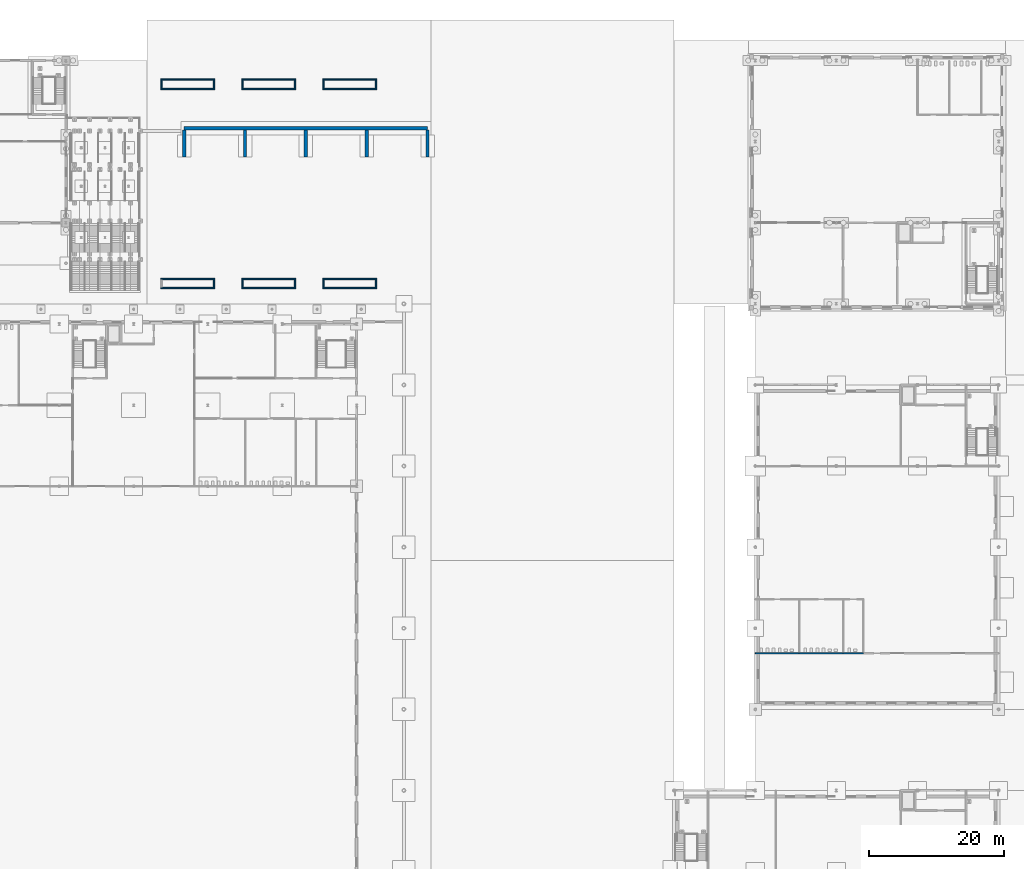
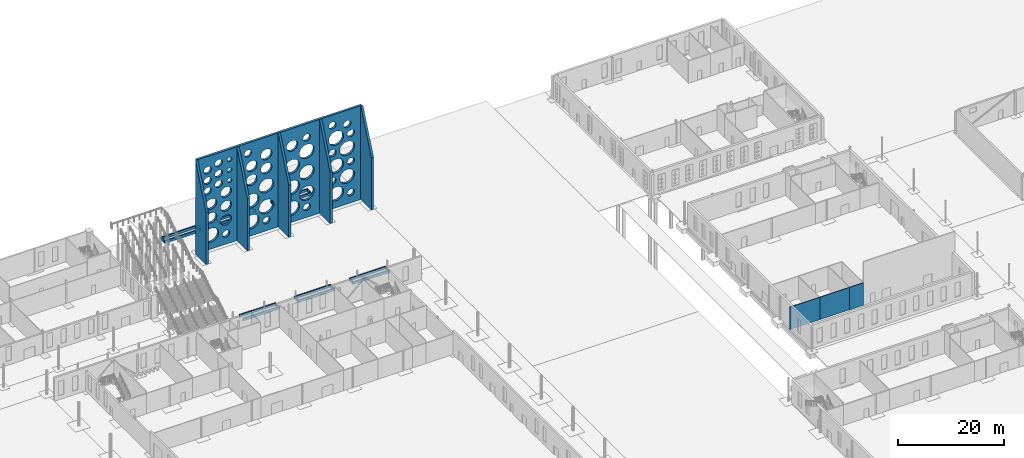
# One storey, part 76 of 132: 32 walls, 47 openings.
"""IFC4 building model written with IfcOpenShell, lengths in metres."""

from ifc_helpers import new_model, si_unit, direction, frame, frame_2d, origin, origin_2d, place, context, subcontext, project, spatial, polyline, rectangle, circle, outline, extrude, material, layer, layer_set, type_object, element, save


model = new_model("IFC4")

# Units and contexts
model_context = context("Model", 3, precision=1e-05, world=origin(), true_north=direction((0.0, 1.0)))
body_context = subcontext(model_context, "Body", "Model", "MODEL_VIEW")
ifc_project = project(units=[si_unit("LENGTHUNIT", "METRE"), si_unit("AREAUNIT", "SQUARE_METRE"), si_unit("VOLUMEUNIT", "CUBIC_METRE"), si_unit("PLANEANGLEUNIT", "RADIAN"), si_unit("MASSUNIT", "GRAM", prefix="KILO")], contexts=[model_context])

# Site, building, storey
site_placement = place(None, origin())
site = spatial("IfcSite", under=ifc_project, at=site_placement, CompositionType="ELEMENT")
building_placement = place(site_placement, origin())
building = spatial("IfcBuilding", under=site, at=building_placement, Name="Ravi Spectrum Wholesale Market", CompositionType="ELEMENT")
storey_placement = place(building_placement, origin())
storey = spatial("IfcBuildingStorey", under=building, at=storey_placement, Name="L00", CompositionType="ELEMENT", Elevation=0.0)

# Wall, openings
ifc_material_1 = material(Name="Concrete C35/45 with white lime render", Category="concrete")
ifc_layer_1 = layer(ifc_material_1, 0.5)
ifc_layer_set_1 = layer_set([ifc_layer_1], Name="Concrete C35/45 with white lime render")
wall_type_1 = type_object("IfcWallType", Name="Blade wall 500 reinforced concrete", PredefinedType="SOLIDWALL", material=ifc_layer_set_1)
wall_1_placement = place(storey_placement, frame((77.5, 224.0, 0.0), z_axis=(0.0, 0.0, 1.0), x_axis=(1.0, 0.0, 0.0)))
wall_1 = element("IfcWall", 1, at=wall_1_placement, inside=storey, type_object=wall_type_1, Name="Blade wall", PredefinedType="SOLIDWALL", context=body_context, shape_type="SweptSolid", body=[
    extrude(rectangle(XDim=36.0, YDim=0.5, at=frame_2d((18.0, 0.0))), origin(), (0.0, 0.0, 1.0), 21.60009765625),
])
opening_1_placement = place(wall_1_placement, frame((6.39990234375, 0.0, 2.39990234375)))
element("IfcOpeningElement", 2, at=opening_1_placement, cuts=wall_1, Name="Opening GW-OP-L00-001", PredefinedType="OPENING", context=body_context, shape_type="SweptSolid", body=[
    extrude(circle(Radius=0.800048828125, at=origin_2d()), frame((0.0, 0.260009765625, 0.0), z_axis=(0.0, -1.0, 0.0), x_axis=(1.0, 0.0, 0.0)), (0.0, 0.0, 1.0), 0.52001953125),
])
opening_2_placement = place(wall_1_placement, frame((15.199951171875, 0.0, 2.39990234375)))
element("IfcOpeningElement", 3, at=opening_2_placement, cuts=wall_1, Name="Opening GW-OP-L00-002", PredefinedType="OPENING", context=body_context, shape_type="SweptSolid", body=[
    extrude(circle(Radius=0.800048828125, at=origin_2d()), frame((0.0, 0.260009765625, 0.0), z_axis=(0.0, -1.0, 0.0), x_axis=(1.0, 0.0, 0.0)), (0.0, 0.0, 1.0), 0.52001953125),
])
opening_3_placement = place(wall_1_placement, frame((24.0, 0.0, 2.39990234375)))
element("IfcOpeningElement", 4, at=opening_3_placement, cuts=wall_1, Name="Opening GW-OP-L00-003", PredefinedType="OPENING", context=body_context, shape_type="SweptSolid", body=[
    extrude(circle(Radius=0.800048828125, at=origin_2d()), frame((0.0, 0.260009765625, 0.0), z_axis=(0.0, -1.0, 0.0), x_axis=(1.0, 0.0, 0.0)), (0.0, 0.0, 1.0), 0.52001953125),
])
opening_4_placement = place(wall_1_placement, frame((33.60009765625, 0.0, 2.39990234375)))
element("IfcOpeningElement", 5, at=opening_4_placement, cuts=wall_1, Name="Opening GW-OP-L00-004", PredefinedType="OPENING", context=body_context, shape_type="SweptSolid", body=[
    extrude(circle(Radius=0.800048828125, at=origin_2d()), frame((0.0, 0.260009765625, 0.0), z_axis=(0.0, -1.0, 0.0), x_axis=(1.0, 0.0, 0.0)), (0.0, 0.0, 1.0), 0.52001953125),
])
opening_5_placement = place(wall_1_placement, frame((3.199951171875, 0.0, 3.199951171875)))
element("IfcOpeningElement", 6, at=opening_5_placement, cuts=wall_1, Name="Opening GW-OP-L00-005", PredefinedType="OPENING", context=body_context, shape_type="SweptSolid", body=[
    extrude(circle(Radius=1.5999755859375, at=origin_2d()), frame((0.0, 0.260009765625, 0.0), z_axis=(0.0, -1.0, 0.0), x_axis=(1.0, 0.0, 0.0)), (0.0, 0.0, 1.0), 0.52001953125),
])
opening_6_placement = place(wall_1_placement, frame((12.0, 0.0, 3.199951171875)))
element("IfcOpeningElement", 7, at=opening_6_placement, cuts=wall_1, Name="Opening GW-OP-L00-006", PredefinedType="OPENING", context=body_context, shape_type="SweptSolid", body=[
    extrude(circle(Radius=1.5999755859375, at=origin_2d()), frame((0.0, 0.260009765625, 0.0), z_axis=(0.0, -1.0, 0.0), x_axis=(1.0, 0.0, 0.0)), (0.0, 0.0, 1.0), 0.52001953125),
])
opening_7_placement = place(wall_1_placement, frame((20.800048828125, 0.0, 3.199951171875)))
element("IfcOpeningElement", 8, at=opening_7_placement, cuts=wall_1, Name="Opening GW-OP-L00-007", PredefinedType="OPENING", context=body_context, shape_type="SweptSolid", body=[
    extrude(circle(Radius=1.5999755859375, at=origin_2d()), frame((0.0, 0.260009765625, 0.0), z_axis=(0.0, -1.0, 0.0), x_axis=(1.0, 0.0, 0.0)), (0.0, 0.0, 1.0), 0.52001953125),
])
opening_8_placement = place(wall_1_placement, frame((30.39990234375, 0.0, 3.199951171875)))
element("IfcOpeningElement", 9, at=opening_8_placement, cuts=wall_1, Name="Opening GW-OP-L00-008", PredefinedType="OPENING", context=body_context, shape_type="SweptSolid", body=[
    extrude(circle(Radius=1.5999755859375, at=origin_2d()), frame((0.0, 0.260009765625, 0.0), z_axis=(0.0, -1.0, 0.0), x_axis=(1.0, 0.0, 0.0)), (0.0, 0.0, 1.0), 0.52001953125),
])
opening_9_placement = place(wall_1_placement, frame((6.39990234375, 0.0, 5.60009765625)))
element("IfcOpeningElement", 10, at=opening_9_placement, cuts=wall_1, Name="Opening GW-OP-L00-009", PredefinedType="OPENING", context=body_context, shape_type="SweptSolid", body=[
    extrude(circle(Radius=1.199951171875, at=origin_2d()), frame((0.0, 0.260009765625, 0.0), z_axis=(0.0, -1.0, 0.0), x_axis=(1.0, 0.0, 0.0)), (0.0, 0.0, 1.0), 0.52001953125),
])
opening_10_placement = place(wall_1_placement, frame((15.199951171875, 0.0, 5.60009765625)))
element("IfcOpeningElement", 11, at=opening_10_placement, cuts=wall_1, Name="Opening GW-OP-L00-010", PredefinedType="OPENING", context=body_context, shape_type="SweptSolid", body=[
    extrude(circle(Radius=1.5999755859375, at=origin_2d()), frame((0.0, 0.260009765625, 0.0), z_axis=(0.0, -1.0, 0.0), x_axis=(1.0, 0.0, 0.0)), (0.0, 0.0, 1.0), 0.52001953125),
])
opening_11_placement = place(wall_1_placement, frame((24.0, 0.0, 5.60009765625)))
element("IfcOpeningElement", 12, at=opening_11_placement, cuts=wall_1, Name="Opening GW-OP-L00-011", PredefinedType="OPENING", context=body_context, shape_type="SweptSolid", body=[
    extrude(circle(Radius=1.5999755859375, at=origin_2d()), frame((0.0, 0.260009765625, 0.0), z_axis=(0.0, -1.0, 0.0), x_axis=(1.0, 0.0, 0.0)), (0.0, 0.0, 1.0), 0.52001953125),
])
opening_12_placement = place(wall_1_placement, frame((29.60009765625, 0.0, 6.39990234375)))
element("IfcOpeningElement", 13, at=opening_12_placement, cuts=wall_1, Name="Opening GW-OP-L00-012", PredefinedType="OPENING", context=body_context, shape_type="SweptSolid", body=[
    extrude(circle(Radius=0.800048828125, at=origin_2d()), frame((0.0, 0.260009765625, 0.0), z_axis=(0.0, -1.0, 0.0), x_axis=(1.0, 0.0, 0.0)), (0.0, 0.0, 1.0), 0.52001953125),
])
opening_13_placement = place(wall_1_placement, frame((32.800048828125, 0.0, 6.39990234375)))
element("IfcOpeningElement", 14, at=opening_13_placement, cuts=wall_1, Name="Opening GW-OP-L00-013", PredefinedType="OPENING", context=body_context, shape_type="SweptSolid", body=[
    extrude(circle(Radius=1.5999755859375, at=origin_2d()), frame((0.0, 0.260009765625, 0.0), z_axis=(0.0, -1.0, 0.0), x_axis=(1.0, 0.0, 0.0)), (0.0, 0.0, 1.0), 0.52001953125),
])
opening_14_placement = place(wall_1_placement, frame((3.199951171875, 0.0, 7.199951171875)))
element("IfcOpeningElement", 15, at=opening_14_placement, cuts=wall_1, Name="Opening GW-OP-L00-014", PredefinedType="OPENING", context=body_context, shape_type="SweptSolid", body=[
    extrude(circle(Radius=1.199951171875, at=origin_2d()), frame((0.0, 0.260009765625, 0.0), z_axis=(0.0, -1.0, 0.0), x_axis=(1.0, 0.0, 0.0)), (0.0, 0.0, 1.0), 0.52001953125),
])
opening_15_placement = place(wall_1_placement, frame((12.0, 0.0, 8.0)))
element("IfcOpeningElement", 16, at=opening_15_placement, cuts=wall_1, Name="Opening GW-OP-L00-015", PredefinedType="OPENING", context=body_context, shape_type="SweptSolid", body=[
    extrude(circle(Radius=1.5999755859375, at=origin_2d()), frame((0.0, 0.260009765625, 0.0), z_axis=(0.0, -1.0, 0.0), x_axis=(1.0, 0.0, 0.0)), (0.0, 0.0, 1.0), 0.52001953125),
])
opening_16_placement = place(wall_1_placement, frame((20.800048828125, 0.0, 8.0)))
element("IfcOpeningElement", 17, at=opening_16_placement, cuts=wall_1, Name="Opening GW-OP-L00-016", PredefinedType="OPENING", context=body_context, shape_type="SweptSolid", body=[
    extrude(circle(Radius=1.5999755859375, at=origin_2d()), frame((0.0, 0.260009765625, 0.0), z_axis=(0.0, -1.0, 0.0), x_axis=(1.0, 0.0, 0.0)), (0.0, 0.0, 1.0), 0.52001953125),
])
opening_17_placement = place(wall_1_placement, frame((6.39990234375, 0.0, 8.800048828125)))
element("IfcOpeningElement", 18, at=opening_17_placement, cuts=wall_1, Name="Opening GW-OP-L00-017", PredefinedType="OPENING", context=body_context, shape_type="SweptSolid", body=[
    extrude(circle(Radius=1.199951171875, at=origin_2d()), frame((0.0, 0.260009765625, 0.0), z_axis=(0.0, -1.0, 0.0), x_axis=(1.0, 0.0, 0.0)), (0.0, 0.0, 1.0), 0.52001953125),
])
opening_18_placement = place(wall_1_placement, frame((30.39990234375, 0.0, 9.60009765625)))
element("IfcOpeningElement", 19, at=opening_18_placement, cuts=wall_1, Name="Opening GW-OP-L00-018", PredefinedType="OPENING", context=body_context, shape_type="SweptSolid", body=[
    extrude(circle(Radius=1.5999755859375, at=origin_2d()), frame((0.0, 0.260009765625, 0.0), z_axis=(0.0, -1.0, 0.0), x_axis=(1.0, 0.0, 0.0)), (0.0, 0.0, 1.0), 0.52001953125),
])
opening_19_placement = place(wall_1_placement, frame((33.60009765625, 0.0, 9.60009765625)))
element("IfcOpeningElement", 20, at=opening_19_placement, cuts=wall_1, Name="Opening GW-OP-L00-019", PredefinedType="OPENING", context=body_context, shape_type="SweptSolid", body=[
    extrude(circle(Radius=0.800048828125, at=origin_2d()), frame((0.0, 0.260009765625, 0.0), z_axis=(0.0, -1.0, 0.0), x_axis=(1.0, 0.0, 0.0)), (0.0, 0.0, 1.0), 0.52001953125),
])
opening_20_placement = place(wall_1_placement, frame((3.199951171875, 0.0, 10.39990234375)))
element("IfcOpeningElement", 21, at=opening_20_placement, cuts=wall_1, Name="Opening GW-OP-L00-020", PredefinedType="OPENING", context=body_context, shape_type="SweptSolid", body=[
    extrude(circle(Radius=1.199951171875, at=origin_2d()), frame((0.0, 0.260009765625, 0.0), z_axis=(0.0, -1.0, 0.0), x_axis=(1.0, 0.0, 0.0)), (0.0, 0.0, 1.0), 0.52001953125),
])
opening_21_placement = place(wall_1_placement, frame((15.199951171875, 0.0, 10.39990234375)))
element("IfcOpeningElement", 22, at=opening_21_placement, cuts=wall_1, Name="Opening GW-OP-L00-021", PredefinedType="OPENING", context=body_context, shape_type="SweptSolid", body=[
    extrude(circle(Radius=1.5999755859375, at=origin_2d()), frame((0.0, 0.260009765625, 0.0), z_axis=(0.0, -1.0, 0.0), x_axis=(1.0, 0.0, 0.0)), (0.0, 0.0, 1.0), 0.52001953125),
])
opening_22_placement = place(wall_1_placement, frame((24.0, 0.0, 10.39990234375)))
element("IfcOpeningElement", 23, at=opening_22_placement, cuts=wall_1, Name="Opening GW-OP-L00-022", PredefinedType="OPENING", context=body_context, shape_type="SweptSolid", body=[
    extrude(circle(Radius=1.5999755859375, at=origin_2d()), frame((0.0, 0.260009765625, 0.0), z_axis=(0.0, -1.0, 0.0), x_axis=(1.0, 0.0, 0.0)), (0.0, 0.0, 1.0), 0.52001953125),
])
opening_23_placement = place(wall_1_placement, frame((6.39990234375, 0.0, 12.0)))
element("IfcOpeningElement", 24, at=opening_23_placement, cuts=wall_1, Name="Opening GW-OP-L00-023", PredefinedType="OPENING", context=body_context, shape_type="SweptSolid", body=[
    extrude(circle(Radius=1.199951171875, at=origin_2d()), frame((0.0, 0.260009765625, 0.0), z_axis=(0.0, -1.0, 0.0), x_axis=(1.0, 0.0, 0.0)), (0.0, 0.0, 1.0), 0.52001953125),
])
opening_24_placement = place(wall_1_placement, frame((12.0, 0.0, 12.800048828125)))
element("IfcOpeningElement", 25, at=opening_24_placement, cuts=wall_1, Name="Opening GW-OP-L00-024", PredefinedType="OPENING", context=body_context, shape_type="SweptSolid", body=[
    extrude(circle(Radius=1.199951171875, at=origin_2d()), frame((0.0, 0.260009765625, 0.0), z_axis=(0.0, -1.0, 0.0), x_axis=(1.0, 0.0, 0.0)), (0.0, 0.0, 1.0), 0.52001953125),
])
opening_25_placement = place(wall_1_placement, frame((20.800048828125, 0.0, 12.800048828125)))
element("IfcOpeningElement", 26, at=opening_25_placement, cuts=wall_1, Name="Opening GW-OP-L00-025", PredefinedType="OPENING", context=body_context, shape_type="SweptSolid", body=[
    extrude(circle(Radius=1.5999755859375, at=origin_2d()), frame((0.0, 0.260009765625, 0.0), z_axis=(0.0, -1.0, 0.0), x_axis=(1.0, 0.0, 0.0)), (0.0, 0.0, 1.0), 0.52001953125),
])
opening_26_placement = place(wall_1_placement, frame((29.60009765625, 0.0, 12.800048828125)))
element("IfcOpeningElement", 27, at=opening_26_placement, cuts=wall_1, Name="Opening GW-OP-L00-026", PredefinedType="OPENING", context=body_context, shape_type="SweptSolid", body=[
    extrude(circle(Radius=0.800048828125, at=origin_2d()), frame((0.0, 0.260009765625, 0.0), z_axis=(0.0, -1.0, 0.0), x_axis=(1.0, 0.0, 0.0)), (0.0, 0.0, 1.0), 0.52001953125),
])
opening_27_placement = place(wall_1_placement, frame((32.800048828125, 0.0, 12.800048828125)))
element("IfcOpeningElement", 28, at=opening_27_placement, cuts=wall_1, Name="Opening GW-OP-L00-027", PredefinedType="OPENING", context=body_context, shape_type="SweptSolid", body=[
    extrude(circle(Radius=1.5999755859375, at=origin_2d()), frame((0.0, 0.260009765625, 0.0), z_axis=(0.0, -1.0, 0.0), x_axis=(1.0, 0.0, 0.0)), (0.0, 0.0, 1.0), 0.52001953125),
])
opening_28_placement = place(wall_1_placement, frame((2.39990234375, 0.0, 13.60009765625)))
element("IfcOpeningElement", 29, at=opening_28_placement, cuts=wall_1, Name="Opening GW-OP-L00-028", PredefinedType="OPENING", context=body_context, shape_type="SweptSolid", body=[
    extrude(circle(Radius=0.800048828125, at=origin_2d()), frame((0.0, 0.260009765625, 0.0), z_axis=(0.0, -1.0, 0.0), x_axis=(1.0, 0.0, 0.0)), (0.0, 0.0, 1.0), 0.52001953125),
])
opening_29_placement = place(wall_1_placement, frame((4.800048828125, 0.0, 14.39990234375)))
element("IfcOpeningElement", 30, at=opening_29_placement, cuts=wall_1, Name="Opening GW-OP-L00-029", PredefinedType="OPENING", context=body_context, shape_type="SweptSolid", body=[
    extrude(circle(Radius=0.800048828125, at=origin_2d()), frame((0.0, 0.260009765625, 0.0), z_axis=(0.0, -1.0, 0.0), x_axis=(1.0, 0.0, 0.0)), (0.0, 0.0, 1.0), 0.52001953125),
])
opening_30_placement = place(wall_1_placement, frame((7.199951171875, 0.0, 14.39990234375)))
element("IfcOpeningElement", 31, at=opening_30_placement, cuts=wall_1, Name="Opening GW-OP-L00-030", PredefinedType="OPENING", context=body_context, shape_type="SweptSolid", body=[
    extrude(circle(Radius=0.5, at=origin_2d()), frame((0.0, 0.260009765625, 0.0), z_axis=(0.0, -1.0, 0.0), x_axis=(1.0, 0.0, 0.0)), (0.0, 0.0, 1.0), 0.52001953125),
])
opening_31_placement = place(wall_1_placement, frame((15.199951171875, 0.0, 14.39990234375)))
element("IfcOpeningElement", 32, at=opening_31_placement, cuts=wall_1, Name="Opening GW-OP-L00-031", PredefinedType="OPENING", context=body_context, shape_type="SweptSolid", body=[
    extrude(circle(Radius=1.199951171875, at=origin_2d()), frame((0.0, 0.260009765625, 0.0), z_axis=(0.0, -1.0, 0.0), x_axis=(1.0, 0.0, 0.0)), (0.0, 0.0, 1.0), 0.52001953125),
])
opening_32_placement = place(wall_1_placement, frame((24.0, 0.0, 15.199951171875)))
element("IfcOpeningElement", 33, at=opening_32_placement, cuts=wall_1, Name="Opening GW-OP-L00-032", PredefinedType="OPENING", context=body_context, shape_type="SweptSolid", body=[
    extrude(circle(Radius=1.5999755859375, at=origin_2d()), frame((0.0, 0.260009765625, 0.0), z_axis=(0.0, -1.0, 0.0), x_axis=(1.0, 0.0, 0.0)), (0.0, 0.0, 1.0), 0.52001953125),
])
opening_33_placement = place(wall_1_placement, frame((2.39990234375, 0.0, 16.0)))
element("IfcOpeningElement", 34, at=opening_33_placement, cuts=wall_1, Name="Opening GW-OP-L00-033", PredefinedType="OPENING", context=body_context, shape_type="SweptSolid", body=[
    extrude(circle(Radius=0.800048828125, at=origin_2d()), frame((0.0, 0.260009765625, 0.0), z_axis=(0.0, -1.0, 0.0), x_axis=(1.0, 0.0, 0.0)), (0.0, 0.0, 1.0), 0.52001953125),
])
opening_34_placement = place(wall_1_placement, frame((12.0, 0.0, 16.0)))
element("IfcOpeningElement", 35, at=opening_34_placement, cuts=wall_1, Name="Opening GW-OP-L00-034", PredefinedType="OPENING", context=body_context, shape_type="SweptSolid", body=[
    extrude(circle(Radius=1.199951171875, at=origin_2d()), frame((0.0, 0.260009765625, 0.0), z_axis=(0.0, -1.0, 0.0), x_axis=(1.0, 0.0, 0.0)), (0.0, 0.0, 1.0), 0.52001953125),
])
opening_35_placement = place(wall_1_placement, frame((30.39990234375, 0.0, 16.0)))
element("IfcOpeningElement", 36, at=opening_35_placement, cuts=wall_1, Name="Opening GW-OP-L00-035", PredefinedType="OPENING", context=body_context, shape_type="SweptSolid", body=[
    extrude(circle(Radius=1.5999755859375, at=origin_2d()), frame((0.0, 0.260009765625, 0.0), z_axis=(0.0, -1.0, 0.0), x_axis=(1.0, 0.0, 0.0)), (0.0, 0.0, 1.0), 0.52001953125),
])
opening_36_placement = place(wall_1_placement, frame((33.60009765625, 0.0, 16.0)))
element("IfcOpeningElement", 37, at=opening_36_placement, cuts=wall_1, Name="Opening GW-OP-L00-036", PredefinedType="OPENING", context=body_context, shape_type="SweptSolid", body=[
    extrude(circle(Radius=0.800048828125, at=origin_2d()), frame((0.0, 0.260009765625, 0.0), z_axis=(0.0, -1.0, 0.0), x_axis=(1.0, 0.0, 0.0)), (0.0, 0.0, 1.0), 0.52001953125),
])
opening_37_placement = place(wall_1_placement, frame((4.800048828125, 0.0, 16.800048828125)))
element("IfcOpeningElement", 38, at=opening_37_placement, cuts=wall_1, Name="Opening GW-OP-L00-037", PredefinedType="OPENING", context=body_context, shape_type="SweptSolid", body=[
    extrude(circle(Radius=0.800048828125, at=origin_2d()), frame((0.0, 0.260009765625, 0.0), z_axis=(0.0, -1.0, 0.0), x_axis=(1.0, 0.0, 0.0)), (0.0, 0.0, 1.0), 0.52001953125),
])
opening_38_placement = place(wall_1_placement, frame((7.199951171875, 0.0, 16.800048828125)))
element("IfcOpeningElement", 39, at=opening_38_placement, cuts=wall_1, Name="Opening GW-OP-L00-038", PredefinedType="OPENING", context=body_context, shape_type="SweptSolid", body=[
    extrude(circle(Radius=0.5, at=origin_2d()), frame((0.0, 0.260009765625, 0.0), z_axis=(0.0, -1.0, 0.0), x_axis=(1.0, 0.0, 0.0)), (0.0, 0.0, 1.0), 0.52001953125),
])
opening_39_placement = place(wall_1_placement, frame((15.199951171875, 0.0, 17.60009765625)))
element("IfcOpeningElement", 40, at=opening_39_placement, cuts=wall_1, Name="Opening GW-OP-L00-039", PredefinedType="OPENING", context=body_context, shape_type="SweptSolid", body=[
    extrude(circle(Radius=1.199951171875, at=origin_2d()), frame((0.0, 0.260009765625, 0.0), z_axis=(0.0, -1.0, 0.0), x_axis=(1.0, 0.0, 0.0)), (0.0, 0.0, 1.0), 0.52001953125),
])
opening_40_placement = place(wall_1_placement, frame((20.800048828125, 0.0, 17.60009765625)))
element("IfcOpeningElement", 41, at=opening_40_placement, cuts=wall_1, Name="Opening GW-OP-L00-040", PredefinedType="OPENING", context=body_context, shape_type="SweptSolid", body=[
    extrude(circle(Radius=1.199951171875, at=origin_2d()), frame((0.0, 0.260009765625, 0.0), z_axis=(0.0, -1.0, 0.0), x_axis=(1.0, 0.0, 0.0)), (0.0, 0.0, 1.0), 0.52001953125),
])
opening_41_placement = place(wall_1_placement, frame((2.39990234375, 0.0, 18.39990234375)))
element("IfcOpeningElement", 42, at=opening_41_placement, cuts=wall_1, Name="Opening GW-OP-L00-041", PredefinedType="OPENING", context=body_context, shape_type="SweptSolid", body=[
    extrude(circle(Radius=0.800048828125, at=origin_2d()), frame((0.0, 0.260009765625, 0.0), z_axis=(0.0, -1.0, 0.0), x_axis=(1.0, 0.0, 0.0)), (0.0, 0.0, 1.0), 0.52001953125),
])
opening_42_placement = place(wall_1_placement, frame((24.0, 0.0, 18.39990234375)))
element("IfcOpeningElement", 43, at=opening_42_placement, cuts=wall_1, Name="Opening GW-OP-L00-042", PredefinedType="OPENING", context=body_context, shape_type="SweptSolid", body=[
    extrude(circle(Radius=0.800048828125, at=origin_2d()), frame((0.0, 0.260009765625, 0.0), z_axis=(0.0, -1.0, 0.0), x_axis=(1.0, 0.0, 0.0)), (0.0, 0.0, 1.0), 0.52001953125),
])
opening_43_placement = place(wall_1_placement, frame((32.800048828125, 0.0, 18.39990234375)))
element("IfcOpeningElement", 44, at=opening_43_placement, cuts=wall_1, Name="Opening GW-OP-L00-043", PredefinedType="OPENING", context=body_context, shape_type="SweptSolid", body=[
    extrude(circle(Radius=0.800048828125, at=origin_2d()), frame((0.0, 0.260009765625, 0.0), z_axis=(0.0, -1.0, 0.0), x_axis=(1.0, 0.0, 0.0)), (0.0, 0.0, 1.0), 0.52001953125),
])
opening_44_placement = place(wall_1_placement, frame((4.800048828125, 0.0, 19.199951171875)))
element("IfcOpeningElement", 45, at=opening_44_placement, cuts=wall_1, Name="Opening GW-OP-L00-044", PredefinedType="OPENING", context=body_context, shape_type="SweptSolid", body=[
    extrude(circle(Radius=0.800048828125, at=origin_2d()), frame((0.0, 0.260009765625, 0.0), z_axis=(0.0, -1.0, 0.0), x_axis=(1.0, 0.0, 0.0)), (0.0, 0.0, 1.0), 0.52001953125),
])
opening_45_placement = place(wall_1_placement, frame((7.199951171875, 0.0, 19.199951171875)))
element("IfcOpeningElement", 46, at=opening_45_placement, cuts=wall_1, Name="Opening GW-OP-L00-045", PredefinedType="OPENING", context=body_context, shape_type="SweptSolid", body=[
    extrude(circle(Radius=0.5, at=origin_2d()), frame((0.0, 0.260009765625, 0.0), z_axis=(0.0, -1.0, 0.0), x_axis=(1.0, 0.0, 0.0)), (0.0, 0.0, 1.0), 0.52001953125),
])
opening_46_placement = place(wall_1_placement, frame((11.199951171875, 0.0, 19.199951171875)))
element("IfcOpeningElement", 47, at=opening_46_placement, cuts=wall_1, Name="Opening GW-OP-L00-046", PredefinedType="OPENING", context=body_context, shape_type="SweptSolid", body=[
    extrude(circle(Radius=0.800048828125, at=origin_2d()), frame((0.0, 0.260009765625, 0.0), z_axis=(0.0, -1.0, 0.0), x_axis=(1.0, 0.0, 0.0)), (0.0, 0.0, 1.0), 0.52001953125),
])
opening_47_placement = place(wall_1_placement, frame((29.60009765625, 0.0, 19.199951171875)))
element("IfcOpeningElement", 48, at=opening_47_placement, cuts=wall_1, Name="Opening GW-OP-L00-047", PredefinedType="OPENING", context=body_context, shape_type="SweptSolid", body=[
    extrude(circle(Radius=0.800048828125, at=origin_2d()), frame((0.0, 0.260009765625, 0.0), z_axis=(0.0, -1.0, 0.0), x_axis=(1.0, 0.0, 0.0)), (0.0, 0.0, 1.0), 0.52001953125),
])

# Walls
ifc_material_2 = material(Name="Concrete blockwork", Category="masonry")
ifc_layer_2 = layer(ifc_material_2, 0.14990234375)
ifc_layer_set_2 = layer_set([ifc_layer_2], Name="Concrete blockwork")
wall_type_2 = type_object("IfcWallType", Name="Blockwork partition 150", PredefinedType="PARTITIONING", material=ifc_layer_set_2)
for number, where, z_axis, x_axis, name in (
    (49, (162.0, 146.300048828125, 0.0), (0.0, 0.0, 1.0), (1.0, 0.0, 0.0), "H3-WL-L00-005"),
    (50, (168.5, 146.300048828125, 0.0), (0.0, 0.0, 1.0), (1.0, 0.0, 0.0), "H3-WL-L00-006"),
):
    element("IfcWall", number, at=place(storey_placement, frame(where, z_axis=z_axis, x_axis=x_axis)), inside=storey, type_object=wall_type_2, Name=name, PredefinedType="PARTITIONING", context=body_context, shape_type="SweptSolid", body=[
        extrude(rectangle(XDim=6.5, YDim=0.14990234375, at=frame_2d((3.25, 0.0))), origin(), (0.0, 0.0, 1.0), 5.14990234375),
    ])
wall_2_placement = place(storey_placement, frame((175.0, 146.300048828125, 0.0), z_axis=(0.0, 0.0, 1.0), x_axis=(1.0, 0.0, 0.0)))
element("IfcWall", 51, at=wall_2_placement, inside=storey, type_object=wall_type_2, Name="H3-WL-L00-007", PredefinedType="PARTITIONING", context=body_context, shape_type="SweptSolid", body=[
    extrude(rectangle(XDim=3.0, YDim=0.14990234375, at=frame_2d((1.5, 0.0))), origin(), (0.0, 0.0, 1.0), 5.14990234375),
])
ifc_material_3 = material(Name="Concrete C35/45", Category="concrete")
ifc_layer_3 = layer(ifc_material_3, 0.5)
ifc_layer_set_3 = layer_set([ifc_layer_3], Name="Concrete C35/45")
wall_type_3 = type_object("IfcWallType", Name="Buttress wall 500 concrete", PredefinedType="SHEAR", material=ifc_layer_set_3)
for number, where, z_axis, x_axis, name in (
    (52, (77.5, 223.75, 0.0), (0.0, 0.0, 1.0), (0.0, -1.0, 0.0), "Blade wall buttress"),
    (53, (86.5, 223.75, 0.0), (0.0, 0.0, 1.0), (0.0, -1.0, 0.0), "Blade wall buttress"),
    (54, (95.5, 223.75, 0.0), (0.0, 0.0, 1.0), (0.0, -1.0, 0.0), "Blade wall buttress"),
    (55, (104.5, 223.75, 0.0), (0.0, 0.0, 1.0), (0.0, -1.0, 0.0), "Blade wall buttress"),
    (56, (113.5, 223.75, 0.0), (0.0, 0.0, 1.0), (0.0, -1.0, 0.0), "Blade wall buttress"),
):
    element("IfcWall", number, at=place(storey_placement, frame(where, z_axis=z_axis, x_axis=x_axis)), inside=storey, type_object=wall_type_3, Name=name, PredefinedType="SHEAR", context=body_context, shape_type="SweptSolid", body=[
        extrude(outline(polyline([(0.0, 0.0), (4.0, 0.0), (4.0, 12.0), (0.0, 21.60009765625), (0.0, 0.0)])), frame((0.0, 0.25, 0.0), z_axis=(0.0, -1.0, 0.0), x_axis=(1.0, 0.0, 0.0)), (0.0, 0.0, 1.0), 0.5),
    ])
ifc_material_4 = material(Name="Facing brickwork", Category="masonry")
ifc_layer_4 = layer(ifc_material_4, 0.22998046875)
ifc_layer_set_4 = layer_set([ifc_layer_4], Name="Facing brickwork")
wall_type_4 = type_object("IfcWallType", Name="Planter wall 230 facing brick", PredefinedType="STANDARD", material=ifc_layer_set_4)
for number, where, z_axis, x_axis, name in (
    (57, (74.0, 200.31494140625, 0.0), (0.0, 0.0, 1.0), (1.0, 0.0, 0.0), "ST-WL-L00-069"),
    (58, (74.0, 201.68505859375, 0.0), (0.0, 0.0, 1.0), (1.0, 0.0, 0.0), "ST-WL-L00-070"),
):
    element("IfcWall", number, at=place(storey_placement, frame(where, z_axis=z_axis, x_axis=x_axis)), inside=storey, type_object=wall_type_4, Name=name, PredefinedType="STANDARD", context=body_context, shape_type="SweptSolid", body=[
        extrude(rectangle(XDim=8.0, YDim=0.22998046875, at=frame_2d((4.0, 0.0))), origin(), (0.0, 0.0, 1.0), 0.60009765625),
    ])
wall_3_placement = place(storey_placement, frame((81.885009765625, 200.429931640625, 0.0), z_axis=(0.0, 0.0, 1.0), x_axis=(0.0, 1.0, 0.0)))
element("IfcWall", 59, at=wall_3_placement, inside=storey, type_object=wall_type_4, Name="ST-WL-L00-072", PredefinedType="STANDARD", context=body_context, shape_type="SweptSolid", body=[
    extrude(rectangle(XDim=1.14013671875, YDim=0.22998046875, at=frame_2d((0.570068359375, 0.0))), origin(), (0.0, 0.0, 1.0), 0.60009765625),
])
for number, where, z_axis, x_axis, name in (
    (60, (86.0, 200.31494140625, 0.0), (0.0, 0.0, 1.0), (1.0, 0.0, 0.0), "ST-WL-L00-073"),
    (61, (86.0, 201.68505859375, 0.0), (0.0, 0.0, 1.0), (1.0, 0.0, 0.0), "ST-WL-L00-074"),
):
    element("IfcWall", number, at=place(storey_placement, frame(where, z_axis=z_axis, x_axis=x_axis)), inside=storey, type_object=wall_type_4, Name=name, PredefinedType="STANDARD", context=body_context, shape_type="SweptSolid", body=[
        extrude(rectangle(XDim=8.0, YDim=0.22998046875, at=frame_2d((4.0, 0.0))), origin(), (0.0, 0.0, 1.0), 0.60009765625),
    ])
for number, where, z_axis, x_axis, name in (
    (62, (86.114990234375, 200.429931640625, 0.0), (0.0, 0.0, 1.0), (0.0, 1.0, 0.0), "ST-WL-L00-075"),
    (63, (93.885009765625, 200.429931640625, 0.0), (0.0, 0.0, 1.0), (0.0, 1.0, 0.0), "ST-WL-L00-076"),
):
    element("IfcWall", number, at=place(storey_placement, frame(where, z_axis=z_axis, x_axis=x_axis)), inside=storey, type_object=wall_type_4, Name=name, PredefinedType="STANDARD", context=body_context, shape_type="SweptSolid", body=[
        extrude(rectangle(XDim=1.14013671875, YDim=0.22998046875, at=frame_2d((0.570068359375, 0.0))), origin(), (0.0, 0.0, 1.0), 0.60009765625),
    ])
for number, where, z_axis, x_axis, name in (
    (64, (98.0, 200.31494140625, 0.0), (0.0, 0.0, 1.0), (1.0, 0.0, 0.0), "ST-WL-L00-077"),
    (65, (98.0, 201.68505859375, 0.0), (0.0, 0.0, 1.0), (1.0, 0.0, 0.0), "ST-WL-L00-078"),
):
    element("IfcWall", number, at=place(storey_placement, frame(where, z_axis=z_axis, x_axis=x_axis)), inside=storey, type_object=wall_type_4, Name=name, PredefinedType="STANDARD", context=body_context, shape_type="SweptSolid", body=[
        extrude(rectangle(XDim=8.0, YDim=0.22998046875, at=frame_2d((4.0, 0.0))), origin(), (0.0, 0.0, 1.0), 0.60009765625),
    ])
for number, where, z_axis, x_axis, name in (
    (66, (98.114990234375, 200.429931640625, 0.0), (0.0, 0.0, 1.0), (0.0, 1.0, 0.0), "ST-WL-L00-079"),
    (67, (105.885009765625, 200.429931640625, 0.0), (0.0, 0.0, 1.0), (0.0, 1.0, 0.0), "ST-WL-L00-080"),
):
    element("IfcWall", number, at=place(storey_placement, frame(where, z_axis=z_axis, x_axis=x_axis)), inside=storey, type_object=wall_type_4, Name=name, PredefinedType="STANDARD", context=body_context, shape_type="SweptSolid", body=[
        extrude(rectangle(XDim=1.14013671875, YDim=0.22998046875, at=frame_2d((0.570068359375, 0.0))), origin(), (0.0, 0.0, 1.0), 0.60009765625),
    ])
for number, where, z_axis, x_axis, name in (
    (68, (74.0, 229.81494140625, 0.0), (0.0, 0.0, 1.0), (1.0, 0.0, 0.0), "ST-WL-L00-081"),
    (69, (74.0, 231.18505859375, 0.0), (0.0, 0.0, 1.0), (1.0, 0.0, 0.0), "ST-WL-L00-082"),
):
    element("IfcWall", number, at=place(storey_placement, frame(where, z_axis=z_axis, x_axis=x_axis)), inside=storey, type_object=wall_type_4, Name=name, PredefinedType="STANDARD", context=body_context, shape_type="SweptSolid", body=[
        extrude(rectangle(XDim=8.0, YDim=0.22998046875, at=frame_2d((4.0, 0.0))), origin(), (0.0, 0.0, 1.0), 0.60009765625),
    ])
for number, where, z_axis, x_axis, name in (
    (70, (74.114990234375, 229.929931640625, 0.0), (0.0, 0.0, 1.0), (0.0, 1.0, 0.0), "ST-WL-L00-083"),
    (71, (81.885009765625, 229.929931640625, 0.0), (0.0, 0.0, 1.0), (0.0, 1.0, 0.0), "ST-WL-L00-084"),
):
    element("IfcWall", number, at=place(storey_placement, frame(where, z_axis=z_axis, x_axis=x_axis)), inside=storey, type_object=wall_type_4, Name=name, PredefinedType="STANDARD", context=body_context, shape_type="SweptSolid", body=[
        extrude(rectangle(XDim=1.14013671875, YDim=0.22998046875, at=frame_2d((0.570068359375, 0.0))), origin(), (0.0, 0.0, 1.0), 0.60009765625),
    ])
for number, where, z_axis, x_axis, name in (
    (72, (86.0, 229.81494140625, 0.0), (0.0, 0.0, 1.0), (1.0, 0.0, 0.0), "ST-WL-L00-085"),
    (73, (86.0, 231.18505859375, 0.0), (0.0, 0.0, 1.0), (1.0, 0.0, 0.0), "ST-WL-L00-086"),
):
    element("IfcWall", number, at=place(storey_placement, frame(where, z_axis=z_axis, x_axis=x_axis)), inside=storey, type_object=wall_type_4, Name=name, PredefinedType="STANDARD", context=body_context, shape_type="SweptSolid", body=[
        extrude(rectangle(XDim=8.0, YDim=0.22998046875, at=frame_2d((4.0, 0.0))), origin(), (0.0, 0.0, 1.0), 0.60009765625),
    ])
for number, where, z_axis, x_axis, name in (
    (74, (86.114990234375, 229.929931640625, 0.0), (0.0, 0.0, 1.0), (0.0, 1.0, 0.0), "ST-WL-L00-087"),
    (75, (93.885009765625, 229.929931640625, 0.0), (0.0, 0.0, 1.0), (0.0, 1.0, 0.0), "ST-WL-L00-088"),
):
    element("IfcWall", number, at=place(storey_placement, frame(where, z_axis=z_axis, x_axis=x_axis)), inside=storey, type_object=wall_type_4, Name=name, PredefinedType="STANDARD", context=body_context, shape_type="SweptSolid", body=[
        extrude(rectangle(XDim=1.14013671875, YDim=0.22998046875, at=frame_2d((0.570068359375, 0.0))), origin(), (0.0, 0.0, 1.0), 0.60009765625),
    ])
for number, where, z_axis, x_axis, name in (
    (76, (98.0, 229.81494140625, 0.0), (0.0, 0.0, 1.0), (1.0, 0.0, 0.0), "ST-WL-L00-089"),
    (77, (98.0, 231.18505859375, 0.0), (0.0, 0.0, 1.0), (1.0, 0.0, 0.0), "ST-WL-L00-090"),
):
    element("IfcWall", number, at=place(storey_placement, frame(where, z_axis=z_axis, x_axis=x_axis)), inside=storey, type_object=wall_type_4, Name=name, PredefinedType="STANDARD", context=body_context, shape_type="SweptSolid", body=[
        extrude(rectangle(XDim=8.0, YDim=0.22998046875, at=frame_2d((4.0, 0.0))), origin(), (0.0, 0.0, 1.0), 0.60009765625),
    ])
for number, where, z_axis, x_axis, name in (
    (78, (98.114990234375, 229.929931640625, 0.0), (0.0, 0.0, 1.0), (0.0, 1.0, 0.0), "ST-WL-L00-091"),
    (79, (105.885009765625, 229.929931640625, 0.0), (0.0, 0.0, 1.0), (0.0, 1.0, 0.0), "ST-WL-L00-092"),
):
    element("IfcWall", number, at=place(storey_placement, frame(where, z_axis=z_axis, x_axis=x_axis)), inside=storey, type_object=wall_type_4, Name=name, PredefinedType="STANDARD", context=body_context, shape_type="SweptSolid", body=[
        extrude(rectangle(XDim=1.14013671875, YDim=0.22998046875, at=frame_2d((0.570068359375, 0.0))), origin(), (0.0, 0.0, 1.0), 0.60009765625),
    ])

save(model, "model.ifc")
